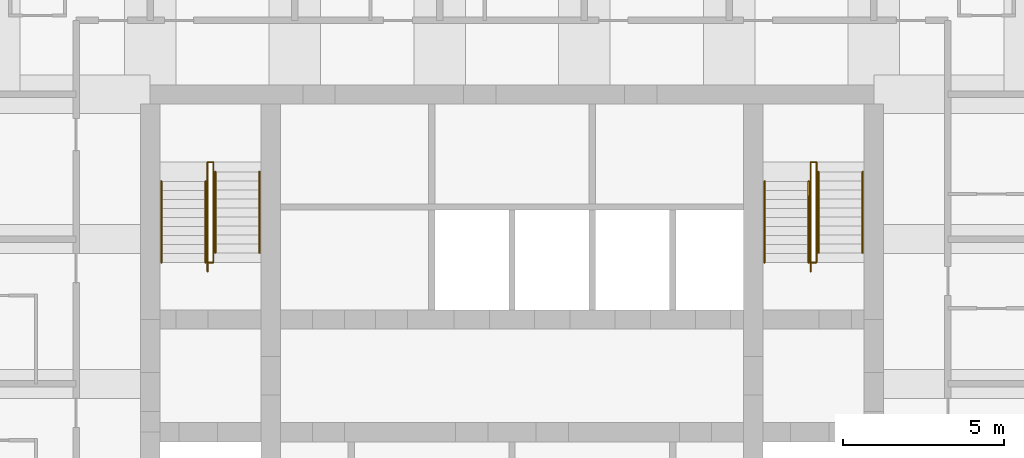
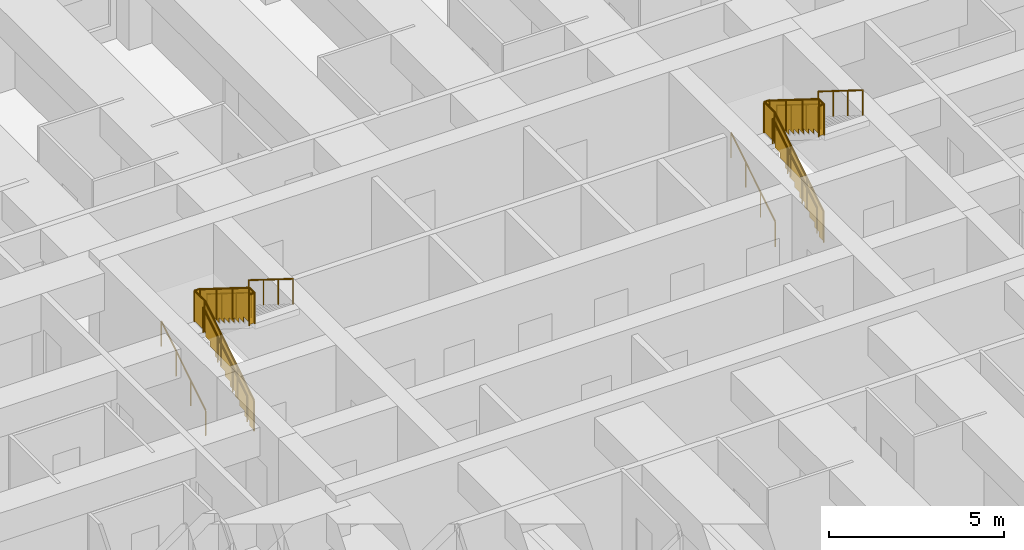
# One storey, part 8 of 8: 12 railings.
"""IFC4 building model written with IfcOpenShell, lengths in metres."""

from ifc_helpers import new_model, si_unit, direction, frame, origin, origin_2d, place, context, subcontext, project, spatial, polyline, circle, outline, extrude, material, type_object, element, save


model = new_model("IFC4")

# Units and contexts
model_context = context("Model", 3, precision=1e-05, world=origin(), true_north=direction((0.0, 1.0)))
body_context = subcontext(model_context, "Body", "Model", "MODEL_VIEW")
ifc_project = project(units=[si_unit("LENGTHUNIT", "METRE"), si_unit("AREAUNIT", "SQUARE_METRE"), si_unit("VOLUMEUNIT", "CUBIC_METRE"), si_unit("PLANEANGLEUNIT", "RADIAN"), si_unit("MASSUNIT", "GRAM", prefix="KILO")], contexts=[model_context])

# Site, building, storey
site_placement = place(None, origin())
site = spatial("IfcSite", under=ifc_project, at=site_placement, CompositionType="ELEMENT")
building_placement = place(site_placement, origin())
building = spatial("IfcBuilding", under=site, at=building_placement, Name="Kilele Tower Hotel", CompositionType="ELEMENT")
storey_placement = place(building_placement, frame((0.0, 0.0, 165.89990234375)))
storey = spatial("IfcBuildingStorey", under=building, at=storey_placement, Name="L42", CompositionType="ELEMENT", Elevation=165.89990234375)

# Railings
ifc_material_1 = material(Name="Steel handrail", Category="steel")
railing_type_1 = type_object("IfcRailingType", Name="Handrail 900", PredefinedType="HANDRAIL", material=ifc_material_1)
for number, where, name in (
    (1, (13.85009765625, 21.77490234375, 0.175048828125), "Handrail ST1 flight 1"),
    (2, (15.22509765625, 21.77490234375, 0.175048828125), "Handrail ST1 flight 1"),
):
    element("IfcRailing", number, at=place(storey_placement, frame(where)), inside=storey, type_object=railing_type_1, Name=name, PredefinedType="HANDRAIL", context=body_context, shape_type="SweptSolid", body=[
        extrude(circle(Radius=0.02490234375, at=origin_2d()), frame((0.0, 0.0, 0.875), z_axis=(0.0, 0.848007534815, 0.529984170421), x_axis=(-1.0, 0.0, 0.0)), (0.0, 0.0, 1.0), 2.9716796875),
        extrude(circle(Radius=0.02001953125, at=origin_2d()), origin(), (0.0, 0.0, 1.0), 0.849853515625),
        extrude(circle(Radius=0.02001953125, at=origin_2d()), frame((0.0, 0.840087890625, 0.52490234375)), (0.0, 0.0, 1.0), 0.849853515625),
        extrude(circle(Radius=0.02001953125, at=origin_2d()), frame((0.0, 1.679931640625, 1.050048828125)), (0.0, 0.0, 1.0), 0.849853515625),
        extrude(circle(Radius=0.02001953125, at=origin_2d()), frame((0.0, 2.52001953125, 1.574951171875)), (0.0, 0.0, 1.0), 0.849853515625),
    ])
for number, where, name in (
    (3, (15.52490234375, 24.594970703125, 1.925048828125), "Handrail ST1 flight 2"),
    (4, (16.89990234375, 24.594970703125, 1.925048828125), "Handrail ST1 flight 2"),
):
    element("IfcRailing", number, at=place(storey_placement, frame(where)), inside=storey, type_object=railing_type_1, Name=name, PredefinedType="HANDRAIL", context=body_context, shape_type="SweptSolid", body=[
        extrude(circle(Radius=0.02490234375, at=origin_2d()), frame((0.0, 0.0, 0.875), z_axis=(0.0, -0.848007534815, 0.529984170421), x_axis=(1.0, 0.0, 0.0)), (0.0, 0.0, 1.0), 2.9716796875),
        extrude(circle(Radius=0.02001953125, at=origin_2d()), origin(), (0.0, 0.0, 1.0), 0.849853515625),
        extrude(circle(Radius=0.02001953125, at=origin_2d()), frame((0.0, -0.840087890625, 0.52490234375)), (0.0, 0.0, 1.0), 0.849853515625),
        extrude(circle(Radius=0.02001953125, at=origin_2d()), frame((0.0, -1.679931640625, 1.050048828125)), (0.0, 0.0, 1.0), 0.849853515625),
        extrude(circle(Radius=0.02001953125, at=origin_2d()), frame((0.0, -2.52001953125, 1.574951171875)), (0.0, 0.0, 1.0), 0.849853515625),
    ])
for number, where, name in (
    (5, (32.60009765625, 21.77490234375, 0.175048828125), "Handrail ST2 flight 1"),
    (6, (33.97509765625, 21.77490234375, 0.175048828125), "Handrail ST2 flight 1"),
):
    element("IfcRailing", number, at=place(storey_placement, frame(where)), inside=storey, type_object=railing_type_1, Name=name, PredefinedType="HANDRAIL", context=body_context, shape_type="SweptSolid", body=[
        extrude(circle(Radius=0.02490234375, at=origin_2d()), frame((0.0, 0.0, 0.875), z_axis=(0.0, 0.848007534815, 0.529984170421), x_axis=(-1.0, 0.0, 0.0)), (0.0, 0.0, 1.0), 2.9716796875),
        extrude(circle(Radius=0.02001953125, at=origin_2d()), origin(), (0.0, 0.0, 1.0), 0.849853515625),
        extrude(circle(Radius=0.02001953125, at=origin_2d()), frame((0.0, 0.840087890625, 0.52490234375)), (0.0, 0.0, 1.0), 0.849853515625),
        extrude(circle(Radius=0.02001953125, at=origin_2d()), frame((0.0, 1.679931640625, 1.050048828125)), (0.0, 0.0, 1.0), 0.849853515625),
        extrude(circle(Radius=0.02001953125, at=origin_2d()), frame((0.0, 2.52001953125, 1.574951171875)), (0.0, 0.0, 1.0), 0.849853515625),
    ])
for number, where, name in (
    (7, (34.27490234375, 24.594970703125, 1.925048828125), "Handrail ST2 flight 2"),
    (8, (35.64990234375, 24.594970703125, 1.925048828125), "Handrail ST2 flight 2"),
):
    element("IfcRailing", number, at=place(storey_placement, frame(where)), inside=storey, type_object=railing_type_1, Name=name, PredefinedType="HANDRAIL", context=body_context, shape_type="SweptSolid", body=[
        extrude(circle(Radius=0.02490234375, at=origin_2d()), frame((0.0, 0.0, 0.875), z_axis=(0.0, -0.848007534815, 0.529984170421), x_axis=(1.0, 0.0, 0.0)), (0.0, 0.0, 1.0), 2.9716796875),
        extrude(circle(Radius=0.02001953125, at=origin_2d()), origin(), (0.0, 0.0, 1.0), 0.849853515625),
        extrude(circle(Radius=0.02001953125, at=origin_2d()), frame((0.0, -0.840087890625, 0.52490234375)), (0.0, 0.0, 1.0), 0.849853515625),
        extrude(circle(Radius=0.02001953125, at=origin_2d()), frame((0.0, -1.679931640625, 1.050048828125)), (0.0, 0.0, 1.0), 0.849853515625),
        extrude(circle(Radius=0.02001953125, at=origin_2d()), frame((0.0, -2.52001953125, 1.574951171875)), (0.0, 0.0, 1.0), 0.849853515625),
    ])
ifc_material_2 = material(Name="Steel guard", Category="steel")
railing_type_2 = type_object("IfcRailingType", Name="Stair guard 1100", PredefinedType="GUARDRAIL", material=ifc_material_2)
railing_1_placement = place(storey_placement, frame((15.284912109375, 21.4951171875, 0.0)))
element("IfcRailing", 9, at=railing_1_placement, inside=storey, type_object=railing_type_2, Name="Stair well guard ST1 flight 1", PredefinedType="GUARDRAIL", context=body_context, shape_type="SweptSolid", body=[
    extrude(circle(Radius=0.02490234375, at=origin_2d()), frame((0.0, 0.0, 1.0751953125), z_axis=(0.0, 0.847981687118, 0.530025526095), x_axis=(-1.0, 0.0, 0.0)), (0.0, 0.0, 1.0), 3.3017578125),
    extrude(circle(Radius=0.02490234375, at=origin_2d()), frame((0.0, 2.7998046875, 2.8251953125), z_axis=(0.0, 1.0, 0.0), x_axis=(-1.0, 0.0, 0.0)), (0.0, 0.0, 1.0), 0.60009765625),
    extrude(circle(Radius=0.02490234375, at=origin_2d()), frame((0.0, 3.39990234375, 2.8251953125), z_axis=(1.0, 0.0, 0.0), x_axis=(0.0, 1.0, 0.0)), (0.0, 0.0, 1.0), 0.18017578125),
    extrude(circle(Radius=0.02490234375, at=origin_2d()), origin(), (0.0, 0.0, 1.0), 1.050048828125),
    extrude(circle(Radius=0.02490234375, at=origin_2d()), frame((0.0, 0.933349609375, 0.583251953125)), (0.0, 0.0, 1.0), 1.050048828125),
    extrude(circle(Radius=0.02490234375, at=origin_2d()), frame((0.0, 1.866455078125, 1.166748046875)), (0.0, 0.0, 1.0), 1.050048828125),
    extrude(circle(Radius=0.02490234375, at=origin_2d()), frame((0.0, 2.7998046875, 1.75)), (0.0, 0.0, 1.0), 1.050048828125),
    extrude(circle(Radius=0.02490234375, at=origin_2d()), frame((0.0, 3.39990234375, 1.75)), (0.0, 0.0, 1.0), 1.050048828125),
    extrude(circle(Radius=0.02490234375, at=origin_2d()), frame((0.18017578125, 3.39990234375, 1.75)), (0.0, 0.0, 1.0), 1.050048828125),
    extrude(outline(polyline([(0.012451171875, 0.030029296875), (0.25, 0.030029296875), (0.25, 0.205078125), (0.530029296875, 0.205078125), (0.530029296875, 0.380126953125), (0.809814453125, 0.380126953125), (0.809814453125, 0.554931640625), (1.08984375, 0.554931640625), (1.08984375, 0.72998046875), (1.369873046875, 0.72998046875), (1.369873046875, 0.905029296875), (1.64990234375, 0.905029296875), (1.64990234375, 1.080078125), (1.929931640625, 1.080078125), (1.929931640625, 1.255126953125), (2.209716796875, 1.255126953125), (2.209716796875, 1.429931640625), (2.48974609375, 1.429931640625), (2.48974609375, 1.60498046875), (2.769775390625, 1.60498046875), (2.769775390625, 1.780029296875), (2.787353515625, 1.780029296875), (2.787353515625, 2.787841796875), (0.012451171875, 1.053466796875), (0.012451171875, 0.030029296875)])), frame((-0.005859375, 0.0, 0.0), z_axis=(1.0, 0.0, 0.0), x_axis=(0.0, 1.0, 0.0)), (0.0, 0.0, 1.0), 0.011962890625),
    extrude(outline(polyline([(0.012451171875, 0.030029296875), (0.587646484375, 0.030029296875), (0.587646484375, 1.050048828125), (0.012451171875, 1.050048828125), (0.012451171875, 0.030029296875)])), frame((-0.005859375, 2.7998046875, 1.75), z_axis=(1.0, 0.0, 0.0), x_axis=(0.0, 1.0, 0.0)), (0.0, 0.0, 1.0), 0.011962890625),
    extrude(outline(polyline([(0.012451171875, 0.030029296875), (0.18017578125, 0.030029296875), (0.18017578125, 1.050048828125), (0.012451171875, 1.050048828125), (0.012451171875, 0.030029296875)])), frame((0.0, 3.40576171875, 1.75), z_axis=(0.0, -1.0, 0.0), x_axis=(1.0, 0.0, 0.0)), (0.0, 0.0, 1.0), 0.011962890625),
])
railing_2_placement = place(storey_placement, frame((15.465087890625, 24.89501953125, 1.75)))
element("IfcRailing", 10, at=railing_2_placement, inside=storey, type_object=railing_type_2, Name="Stair well guard ST1 flight 2", PredefinedType="GUARDRAIL", context=body_context, shape_type="SweptSolid", body=[
    extrude(circle(Radius=0.02490234375, at=origin_2d()), frame((0.0, 0.0, 1.0751953125), z_axis=(0.0, -1.0, 0.0), x_axis=(1.0, 0.0, 0.0)), (0.0, 0.0, 1.0), 0.02001953125),
    extrude(circle(Radius=0.02490234375, at=origin_2d()), frame((0.0, -0.02001953125, 1.0751953125), z_axis=(0.0, -0.848002457836, 0.529992293815), x_axis=(1.0, 0.0, 0.0)), (0.0, 0.0, 1.0), 3.302001953125),
    extrude(circle(Radius=0.02490234375, at=origin_2d()), frame((0.0, -2.820068359375, 2.8251953125), z_axis=(0.0, -1.0, 0.0), x_axis=(1.0, 0.0, 0.0)), (0.0, 0.0, 1.0), 0.300048828125),
    extrude(circle(Radius=0.02490234375, at=origin_2d()), frame((0.0, -3.1201171875, 2.8251953125), z_axis=(-1.0, 0.0, 0.0), x_axis=(0.0, -1.0, 0.0)), (0.0, 0.0, 1.0), 0.18017578125),
    extrude(circle(Radius=0.02490234375, at=origin_2d()), origin(), (0.0, 0.0, 1.0), 1.050048828125),
    extrude(circle(Radius=0.02490234375, at=origin_2d()), frame((0.0, -0.02001953125, 0.0)), (0.0, 0.0, 1.0), 1.050048828125),
    extrude(circle(Radius=0.02490234375, at=origin_2d()), frame((0.0, -0.953369140625, 0.583251953125)), (0.0, 0.0, 1.0), 1.050048828125),
    extrude(circle(Radius=0.02490234375, at=origin_2d()), frame((0.0, -1.88671875, 1.166748046875)), (0.0, 0.0, 1.0), 1.050048828125),
    extrude(circle(Radius=0.02490234375, at=origin_2d()), frame((0.0, -2.820068359375, 1.75)), (0.0, 0.0, 1.0), 1.050048828125),
    extrude(circle(Radius=0.02490234375, at=origin_2d()), frame((0.0, -3.1201171875, 1.75)), (0.0, 0.0, 1.0), 1.050048828125),
    extrude(circle(Radius=0.02490234375, at=origin_2d()), frame((-0.18017578125, -3.1201171875, 1.75)), (0.0, 0.0, 1.0), 1.050048828125),
    extrude(outline(polyline([(0.012451171875, 0.030029296875), (0.25, 0.030029296875), (0.25, 0.205078125), (0.530029296875, 0.205078125), (0.530029296875, 0.380126953125), (0.81005859375, 0.380126953125), (0.81005859375, 0.554931640625), (1.090087890625, 0.554931640625), (1.090087890625, 0.72998046875), (1.3701171875, 0.72998046875), (1.3701171875, 0.905029296875), (1.64990234375, 0.905029296875), (1.64990234375, 1.080078125), (1.929931640625, 1.080078125), (1.929931640625, 1.255126953125), (2.2099609375, 1.255126953125), (2.2099609375, 1.429931640625), (2.489990234375, 1.429931640625), (2.489990234375, 1.60498046875), (2.77001953125, 1.60498046875), (2.77001953125, 1.780029296875), (2.78759765625, 1.780029296875), (2.78759765625, 2.787841796875), (0.012451171875, 1.053466796875), (0.012451171875, 0.030029296875)])), frame((0.005859375, -0.02001953125, 0.0), z_axis=(-1.0, 0.0, 0.0), x_axis=(0.0, -1.0, 0.0)), (0.0, 0.0, 1.0), 0.011962890625),
    extrude(outline(polyline([(0.012451171875, 0.030029296875), (0.28759765625, 0.030029296875), (0.28759765625, 1.050048828125), (0.012451171875, 1.050048828125), (0.012451171875, 0.030029296875)])), frame((0.005859375, -2.820068359375, 1.75), z_axis=(-1.0, 0.0, 0.0), x_axis=(0.0, -1.0, 0.0)), (0.0, 0.0, 1.0), 0.011962890625),
    extrude(outline(polyline([(0.012451171875, 0.030029296875), (0.18017578125, 0.030029296875), (0.18017578125, 1.050048828125), (0.012451171875, 1.050048828125), (0.012451171875, 0.030029296875)])), frame((0.0, -3.1259765625, 1.75), z_axis=(0.0, 1.0, 0.0), x_axis=(-1.0, 0.0, 0.0)), (0.0, 0.0, 1.0), 0.011962890625),
])
railing_3_placement = place(storey_placement, frame((34.034912109375, 21.4951171875, 0.0)))
element("IfcRailing", 11, at=railing_3_placement, inside=storey, type_object=railing_type_2, Name="Stair well guard ST2 flight 1", PredefinedType="GUARDRAIL", context=body_context, shape_type="SweptSolid", body=[
    extrude(circle(Radius=0.02490234375, at=origin_2d()), frame((0.0, 0.0, 1.0751953125), z_axis=(0.0, 0.847981687118, 0.530025526095), x_axis=(-1.0, 0.0, 0.0)), (0.0, 0.0, 1.0), 3.3017578125),
    extrude(circle(Radius=0.02490234375, at=origin_2d()), frame((0.0, 2.7998046875, 2.8251953125), z_axis=(0.0, 1.0, 0.0), x_axis=(-1.0, 0.0, 0.0)), (0.0, 0.0, 1.0), 0.60009765625),
    extrude(circle(Radius=0.02490234375, at=origin_2d()), frame((0.0, 3.39990234375, 2.8251953125), z_axis=(1.0, 0.0, 0.0), x_axis=(0.0, 1.0, 0.0)), (0.0, 0.0, 1.0), 0.18017578125),
    extrude(circle(Radius=0.02490234375, at=origin_2d()), origin(), (0.0, 0.0, 1.0), 1.050048828125),
    extrude(circle(Radius=0.02490234375, at=origin_2d()), frame((0.0, 0.933349609375, 0.583251953125)), (0.0, 0.0, 1.0), 1.050048828125),
    extrude(circle(Radius=0.02490234375, at=origin_2d()), frame((0.0, 1.866455078125, 1.166748046875)), (0.0, 0.0, 1.0), 1.050048828125),
    extrude(circle(Radius=0.02490234375, at=origin_2d()), frame((0.0, 2.7998046875, 1.75)), (0.0, 0.0, 1.0), 1.050048828125),
    extrude(circle(Radius=0.02490234375, at=origin_2d()), frame((0.0, 3.39990234375, 1.75)), (0.0, 0.0, 1.0), 1.050048828125),
    extrude(circle(Radius=0.02490234375, at=origin_2d()), frame((0.18017578125, 3.39990234375, 1.75)), (0.0, 0.0, 1.0), 1.050048828125),
    extrude(outline(polyline([(0.012451171875, 0.030029296875), (0.25, 0.030029296875), (0.25, 0.205078125), (0.530029296875, 0.205078125), (0.530029296875, 0.380126953125), (0.809814453125, 0.380126953125), (0.809814453125, 0.554931640625), (1.08984375, 0.554931640625), (1.08984375, 0.72998046875), (1.369873046875, 0.72998046875), (1.369873046875, 0.905029296875), (1.64990234375, 0.905029296875), (1.64990234375, 1.080078125), (1.929931640625, 1.080078125), (1.929931640625, 1.255126953125), (2.209716796875, 1.255126953125), (2.209716796875, 1.429931640625), (2.48974609375, 1.429931640625), (2.48974609375, 1.60498046875), (2.769775390625, 1.60498046875), (2.769775390625, 1.780029296875), (2.787353515625, 1.780029296875), (2.787353515625, 2.787841796875), (0.012451171875, 1.053466796875), (0.012451171875, 0.030029296875)])), frame((-0.005859375, 0.0, 0.0), z_axis=(1.0, 0.0, 0.0), x_axis=(0.0, 1.0, 0.0)), (0.0, 0.0, 1.0), 0.011962890625),
    extrude(outline(polyline([(0.012451171875, 0.030029296875), (0.587646484375, 0.030029296875), (0.587646484375, 1.050048828125), (0.012451171875, 1.050048828125), (0.012451171875, 0.030029296875)])), frame((-0.005859375, 2.7998046875, 1.75), z_axis=(1.0, 0.0, 0.0), x_axis=(0.0, 1.0, 0.0)), (0.0, 0.0, 1.0), 0.011962890625),
    extrude(outline(polyline([(0.012451171875, 0.030029296875), (0.18017578125, 0.030029296875), (0.18017578125, 1.050048828125), (0.012451171875, 1.050048828125), (0.012451171875, 0.030029296875)])), frame((0.0, 3.40576171875, 1.75), z_axis=(0.0, -1.0, 0.0), x_axis=(1.0, 0.0, 0.0)), (0.0, 0.0, 1.0), 0.011962890625),
])
railing_4_placement = place(storey_placement, frame((34.215087890625, 24.89501953125, 1.75)))
element("IfcRailing", 12, at=railing_4_placement, inside=storey, type_object=railing_type_2, Name="Stair well guard ST2 flight 2", PredefinedType="GUARDRAIL", context=body_context, shape_type="SweptSolid", body=[
    extrude(circle(Radius=0.02490234375, at=origin_2d()), frame((0.0, 0.0, 1.0751953125), z_axis=(0.0, -1.0, 0.0), x_axis=(1.0, 0.0, 0.0)), (0.0, 0.0, 1.0), 0.02001953125),
    extrude(circle(Radius=0.02490234375, at=origin_2d()), frame((0.0, -0.02001953125, 1.0751953125), z_axis=(0.0, -0.848002457836, 0.529992293815), x_axis=(1.0, 0.0, 0.0)), (0.0, 0.0, 1.0), 3.302001953125),
    extrude(circle(Radius=0.02490234375, at=origin_2d()), frame((0.0, -2.820068359375, 2.8251953125), z_axis=(0.0, -1.0, 0.0), x_axis=(1.0, 0.0, 0.0)), (0.0, 0.0, 1.0), 0.300048828125),
    extrude(circle(Radius=0.02490234375, at=origin_2d()), frame((0.0, -3.1201171875, 2.8251953125), z_axis=(-1.0, 0.0, 0.0), x_axis=(0.0, -1.0, 0.0)), (0.0, 0.0, 1.0), 0.18017578125),
    extrude(circle(Radius=0.02490234375, at=origin_2d()), origin(), (0.0, 0.0, 1.0), 1.050048828125),
    extrude(circle(Radius=0.02490234375, at=origin_2d()), frame((0.0, -0.02001953125, 0.0)), (0.0, 0.0, 1.0), 1.050048828125),
    extrude(circle(Radius=0.02490234375, at=origin_2d()), frame((0.0, -0.953369140625, 0.583251953125)), (0.0, 0.0, 1.0), 1.050048828125),
    extrude(circle(Radius=0.02490234375, at=origin_2d()), frame((0.0, -1.88671875, 1.166748046875)), (0.0, 0.0, 1.0), 1.050048828125),
    extrude(circle(Radius=0.02490234375, at=origin_2d()), frame((0.0, -2.820068359375, 1.75)), (0.0, 0.0, 1.0), 1.050048828125),
    extrude(circle(Radius=0.02490234375, at=origin_2d()), frame((0.0, -3.1201171875, 1.75)), (0.0, 0.0, 1.0), 1.050048828125),
    extrude(circle(Radius=0.02490234375, at=origin_2d()), frame((-0.18017578125, -3.1201171875, 1.75)), (0.0, 0.0, 1.0), 1.050048828125),
    extrude(outline(polyline([(0.012451171875, 0.030029296875), (0.25, 0.030029296875), (0.25, 0.205078125), (0.530029296875, 0.205078125), (0.530029296875, 0.380126953125), (0.81005859375, 0.380126953125), (0.81005859375, 0.554931640625), (1.090087890625, 0.554931640625), (1.090087890625, 0.72998046875), (1.3701171875, 0.72998046875), (1.3701171875, 0.905029296875), (1.64990234375, 0.905029296875), (1.64990234375, 1.080078125), (1.929931640625, 1.080078125), (1.929931640625, 1.255126953125), (2.2099609375, 1.255126953125), (2.2099609375, 1.429931640625), (2.489990234375, 1.429931640625), (2.489990234375, 1.60498046875), (2.77001953125, 1.60498046875), (2.77001953125, 1.780029296875), (2.78759765625, 1.780029296875), (2.78759765625, 2.787841796875), (0.012451171875, 1.053466796875), (0.012451171875, 0.030029296875)])), frame((0.005859375, -0.02001953125, 0.0), z_axis=(-1.0, 0.0, 0.0), x_axis=(0.0, -1.0, 0.0)), (0.0, 0.0, 1.0), 0.011962890625),
    extrude(outline(polyline([(0.012451171875, 0.030029296875), (0.28759765625, 0.030029296875), (0.28759765625, 1.050048828125), (0.012451171875, 1.050048828125), (0.012451171875, 0.030029296875)])), frame((0.005859375, -2.820068359375, 1.75), z_axis=(-1.0, 0.0, 0.0), x_axis=(0.0, -1.0, 0.0)), (0.0, 0.0, 1.0), 0.011962890625),
    extrude(outline(polyline([(0.012451171875, 0.030029296875), (0.18017578125, 0.030029296875), (0.18017578125, 1.050048828125), (0.012451171875, 1.050048828125), (0.012451171875, 0.030029296875)])), frame((0.0, -3.1259765625, 1.75), z_axis=(0.0, 1.0, 0.0), x_axis=(-1.0, 0.0, 0.0)), (0.0, 0.0, 1.0), 0.011962890625),
])

save(model, "model.ifc")
